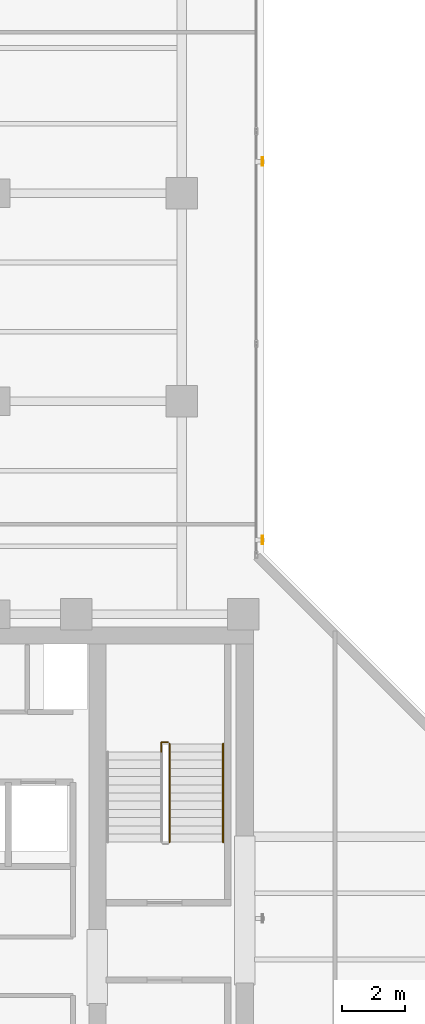
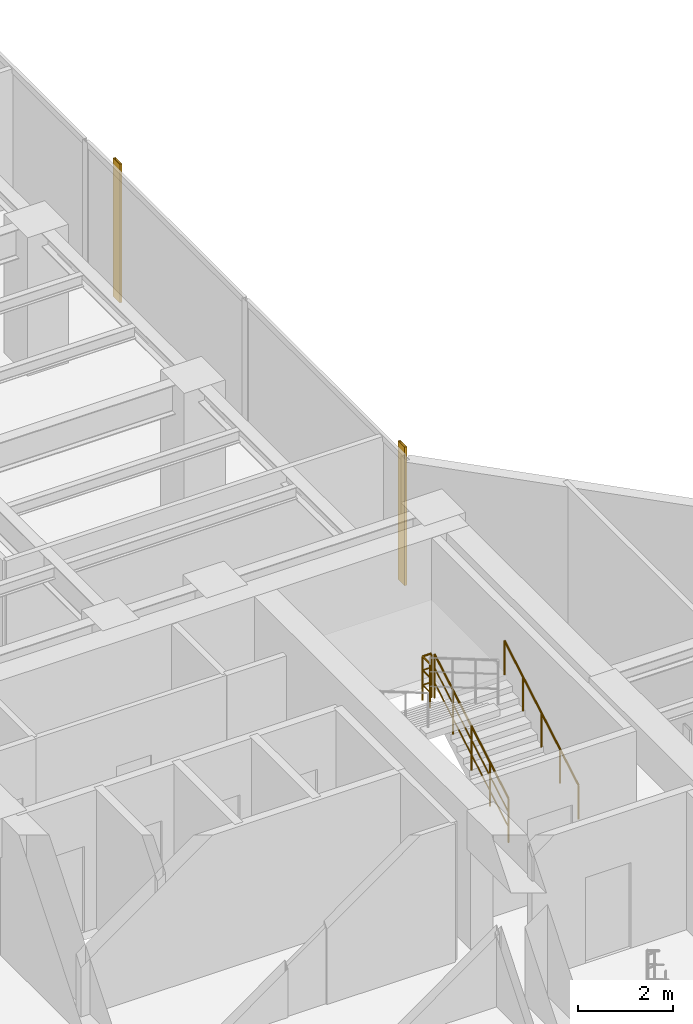
# One storey, part 22 of 22: 3 railings, 2 shading devices.
"""IFC4 building model written with IfcOpenShell, lengths in metres."""

from ifc_helpers import new_model, si_unit, direction, frame, origin, origin_2d, place, context, subcontext, project, spatial, hollow_rectangle, circle, extrude, material, material_profile, profile_set, type_object, element, save


model = new_model("IFC4")

# Units and contexts
model_context = context("Model", 3, precision=1e-05, world=origin(), true_north=direction((0.0, 1.0)))
body_context = subcontext(model_context, "Body", "Model", "MODEL_VIEW")
ifc_project = project(units=[si_unit("LENGTHUNIT", "METRE"), si_unit("AREAUNIT", "SQUARE_METRE"), si_unit("VOLUMEUNIT", "CUBIC_METRE"), si_unit("PLANEANGLEUNIT", "RADIAN"), si_unit("MASSUNIT", "GRAM", prefix="KILO")], contexts=[model_context])

# Site, building, storey
site_placement = place(None, origin())
site = spatial("IfcSite", under=ifc_project, at=site_placement, CompositionType="ELEMENT")
building_placement = place(site_placement, origin())
building = spatial("IfcBuilding", under=site, at=building_placement, Name="Kolvaren Waterfront Exchange", CompositionType="ELEMENT")
storey_placement = place(building_placement, frame((0.0, 0.0, 246.300048828125)))
storey = spatial("IfcBuildingStorey", under=building, at=storey_placement, Name="L63", CompositionType="ELEMENT", Elevation=246.300048828125)

# Shading devices
ifc_material_1 = material(Name="Anodised bronze aluminium 6063-T6", Category="aluminium")
ifc_material_profile = material_profile(ifc_material_1, hollow_rectangle(XDim=0.054931640625, YDim=0.280029296875, WallThickness=0.00439453125, at=origin_2d()), Name="BRZ-FIN-280x55x4.5")
ifc_profile_set = profile_set([ifc_material_profile], Name="Anodised bronze aluminium 6063-T6")
shading_device_type = type_object("IfcShadingDeviceType", Name="ARC-FIN-280", PredefinedType="USERDEFINED", material=ifc_profile_set)
for number, where, z_axis, x_axis, name in (
    (1, (21.360107421875, 26.800048828125, 0.0), (0.0, 0.0, 1.0), (1.0, 0.0, 0.0), "L63 anodised bronze solar shading fin FIN-L63-E2"),
    (2, (21.360107421875, 38.800048828125, 0.0), (0.0, 0.0, 1.0), (1.0, 0.0, 0.0), "L63 anodised bronze solar shading fin FIN-L63-E3"),
):
    element("IfcShadingDevice", number, at=place(storey_placement, frame(where, z_axis=z_axis, x_axis=x_axis)), inside=storey, type_object=shading_device_type, Name=name, ObjectType="SOLAR FIN", PredefinedType="USERDEFINED", context=body_context, shape_type="SweptSolid", body=[
        extrude(hollow_rectangle(XDim=0.054931640625, YDim=0.280029296875, WallThickness=0.00439453125, at=origin_2d()), origin(), (0.0, 0.0, 1.0), 3.56005859375),
    ])

# Railings
ifc_material_2 = material(Name="Stainless steel 316", Category="steel")
railing_type_1 = type_object("IfcRailingType", Name="ARC-GUARD-STAIR", PredefinedType="GUARDRAIL", material=ifc_material_2)
railing_1_placement = place(storey_placement, frame((18.409912109375, 17.219970703125, 0.15185546875)))
element("IfcRailing", 3, at=railing_1_placement, inside=storey, type_object=railing_type_1, Name="L63 ST2 stair guard 1", PredefinedType="GUARDRAIL", context=body_context, shape_type="SweptSolid", body=[
    extrude(circle(Radius=0.02392578125, at=origin_2d()), frame((0.0, 0.0, 1.1259765625), z_axis=(0.0, 0.86330811405, 0.504677223793), x_axis=(-1.0, 0.0, 0.0)), (0.0, 0.0, 1.0), 3.6142578125),
    extrude(circle(Radius=0.01611328125, at=origin_2d()), frame((0.0, 0.0, 0.390869140625), z_axis=(0.0, 0.86330811405, 0.504677223793), x_axis=(-1.0, 0.0, 0.0)), (0.0, 0.0, 1.0), 3.6142578125),
    extrude(circle(Radius=0.01611328125, at=origin_2d()), frame((0.0, 0.0, 0.7705078125), z_axis=(0.0, 0.86330811405, 0.504677223793), x_axis=(-1.0, 0.0, 0.0)), (0.0, 0.0, 1.0), 3.6142578125),
    extrude(circle(Radius=0.02099609375, at=origin_2d()), origin(), (0.0, 0.0, 1.0), 1.101806640625),
    extrude(circle(Radius=0.02099609375, at=origin_2d()), frame((0.0, 0.780029296875, 0.4560546875)), (0.0, 0.0, 1.0), 1.101806640625),
    extrude(circle(Radius=0.02099609375, at=origin_2d()), frame((0.0, 1.56005859375, 0.912109375)), (0.0, 0.0, 1.0), 1.101806640625),
    extrude(circle(Radius=0.02099609375, at=origin_2d()), frame((0.0, 2.340087890625, 1.367919921875)), (0.0, 0.0, 1.0), 1.101806640625),
    extrude(circle(Radius=0.02099609375, at=origin_2d()), frame((0.0, 3.1201171875, 1.823974609375)), (0.0, 0.0, 1.0), 1.101806640625),
])
railing_2_placement = place(storey_placement, frame((18.360107421875, 20.389892578125, 1.975830078125)))
element("IfcRailing", 4, at=railing_2_placement, inside=storey, type_object=railing_type_1, Name="L63 ST2 stair guard 2", PredefinedType="GUARDRAIL", context=body_context, shape_type="SweptSolid", body=[
    extrude(circle(Radius=0.02392578125, at=origin_2d()), frame((0.0, 0.0, 1.1259765625), z_axis=(-1.0, 0.0, 0.0), x_axis=(0.0, -1.0, 0.0)), (0.0, 0.0, 1.0), 0.210205078125),
    extrude(circle(Radius=0.01611328125, at=origin_2d()), frame((0.0, 0.0, 0.390869140625), z_axis=(-1.0, 0.0, 0.0), x_axis=(0.0, -1.0, 0.0)), (0.0, 0.0, 1.0), 0.210205078125),
    extrude(circle(Radius=0.01611328125, at=origin_2d()), frame((0.0, 0.0, 0.7705078125), z_axis=(-1.0, 0.0, 0.0), x_axis=(0.0, -1.0, 0.0)), (0.0, 0.0, 1.0), 0.210205078125),
    extrude(circle(Radius=0.02392578125, at=origin_2d()), frame((-0.210205078125, 0.0, 1.1259765625), z_axis=(0.0, -1.0, 0.0), x_axis=(1.0, 0.0, 0.0)), (0.0, 0.0, 1.0), 0.309814453125),
    extrude(circle(Radius=0.01611328125, at=origin_2d()), frame((-0.210205078125, 0.0, 0.390869140625), z_axis=(0.0, -1.0, 0.0), x_axis=(1.0, 0.0, 0.0)), (0.0, 0.0, 1.0), 0.309814453125),
    extrude(circle(Radius=0.01611328125, at=origin_2d()), frame((-0.210205078125, 0.0, 0.7705078125), z_axis=(0.0, -1.0, 0.0), x_axis=(1.0, 0.0, 0.0)), (0.0, 0.0, 1.0), 0.309814453125),
    extrude(circle(Radius=0.02099609375, at=origin_2d()), origin(), (0.0, 0.0, 1.0), 1.101806640625),
    extrude(circle(Radius=0.02099609375, at=origin_2d()), frame((-0.210205078125, 0.0, 0.0)), (0.0, 0.0, 1.0), 1.101806640625),
    extrude(circle(Radius=0.02099609375, at=origin_2d()), frame((-0.210205078125, -0.309814453125, 0.0)), (0.0, 0.0, 1.0), 1.101806640625),
])
railing_type_2 = type_object("IfcRailingType", Name="ARC-HANDRAIL-900", PredefinedType="HANDRAIL", material=ifc_material_2)
railing_3_placement = place(storey_placement, frame((20.110107421875, 17.219970703125, 0.15185546875)))
element("IfcRailing", 5, at=railing_3_placement, inside=storey, type_object=railing_type_2, Name="L63 ST2 stair handrail 1", PredefinedType="HANDRAIL", context=body_context, shape_type="SweptSolid", body=[
    extrude(circle(Radius=0.02392578125, at=origin_2d()), frame((0.0, 0.0, 0.8759765625), z_axis=(0.0, 0.86330811405, 0.504677223793), x_axis=(-1.0, 0.0, 0.0)), (0.0, 0.0, 1.0), 3.6142578125),
    extrude(circle(Radius=0.02099609375, at=origin_2d()), origin(), (0.0, 0.0, 1.0), 0.851806640625),
    extrude(circle(Radius=0.02099609375, at=origin_2d()), frame((0.0, 0.780029296875, 0.4560546875)), (0.0, 0.0, 1.0), 0.851806640625),
    extrude(circle(Radius=0.02099609375, at=origin_2d()), frame((0.0, 1.56005859375, 0.912109375)), (0.0, 0.0, 1.0), 0.851806640625),
    extrude(circle(Radius=0.02099609375, at=origin_2d()), frame((0.0, 2.340087890625, 1.367919921875)), (0.0, 0.0, 1.0), 0.851806640625),
    extrude(circle(Radius=0.02099609375, at=origin_2d()), frame((0.0, 3.1201171875, 1.823974609375)), (0.0, 0.0, 1.0), 0.851806640625),
])

save(model, "model.ifc")
